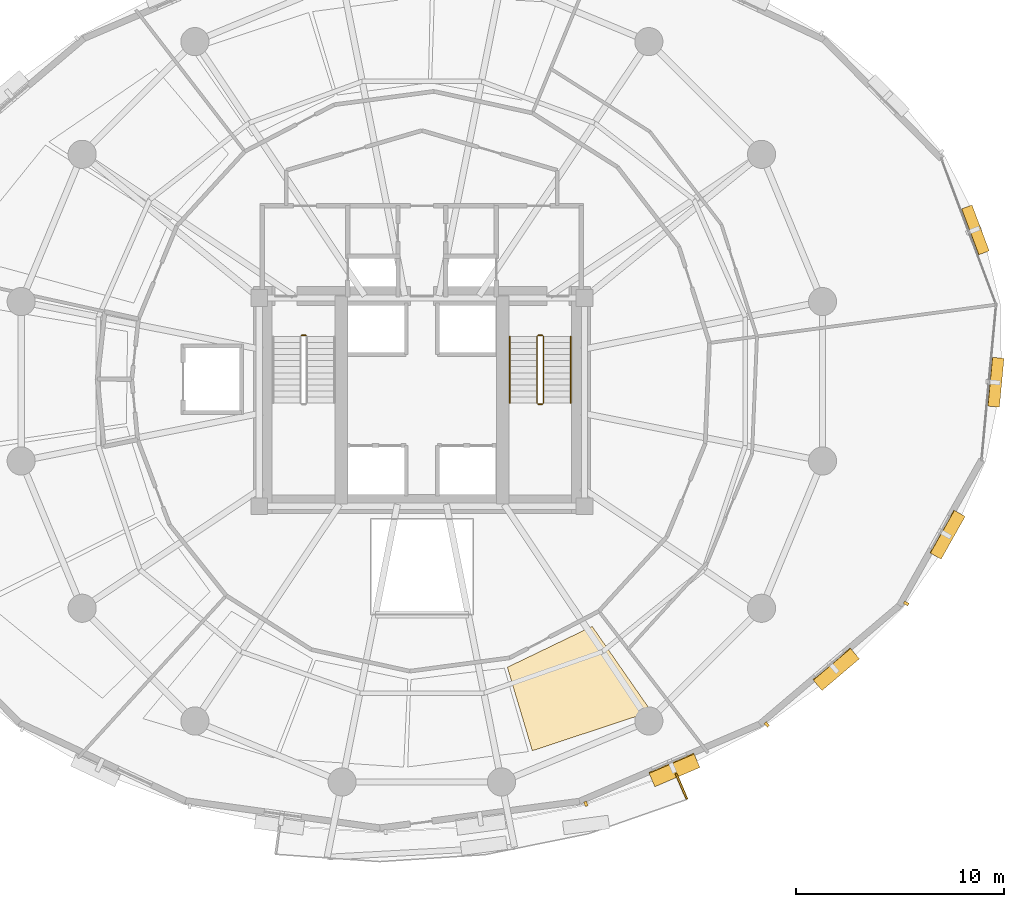
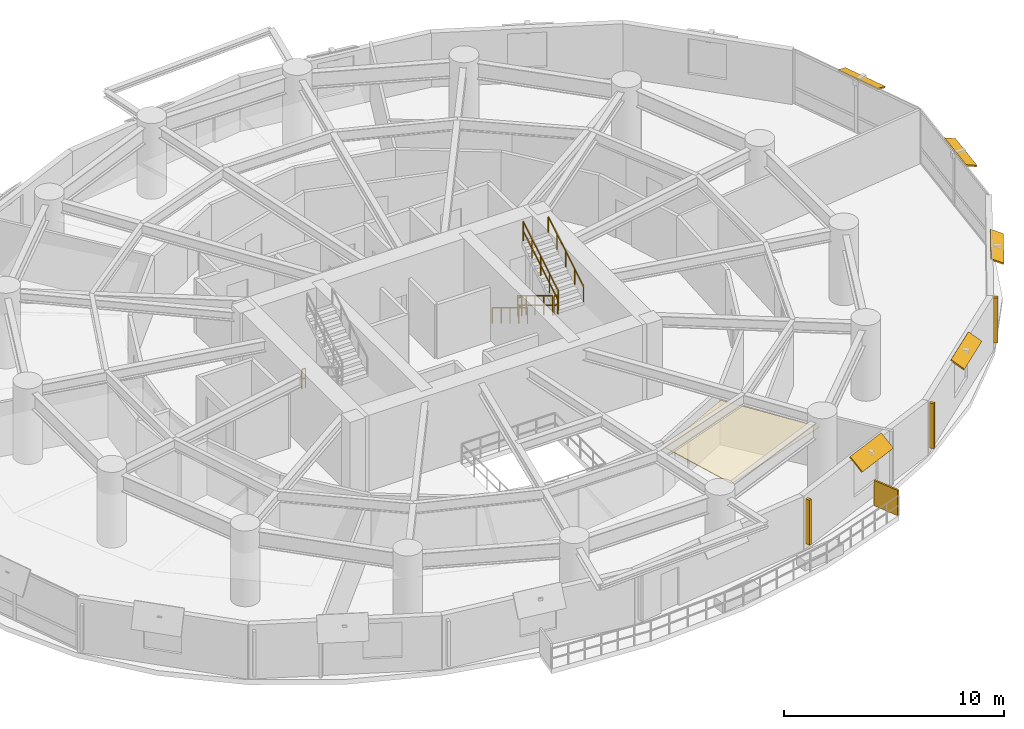
# One storey, part 16 of 17: 9 shading devices, 7 railings, 1 covering.
"""IFC4 building model written with IfcOpenShell, lengths in metres."""

import ifcopenshell
import ifcopenshell.guid

model = None  # the IFC model being written
_history = None  # IfcOwnerHistory: only IFC2X3 demands one
_inside = {}  # id of a spatial element -> (the spatial element, [elements in it])
_under = {}  # id of a project, library or spatial element -> (it, [spatial elements below it])
_declared = {}  # id of a project -> (the project, [libraries it declares])
_typed = {}  # id of a type object -> (the type object, [elements of that type])
_made_of = {}  # id of a material, layer set ... -> (it, [elements and type objects made of it])


def new_model(schema):
    """Start an empty IFC model of exactly this schema.

    Asked for "IFC4X3", IfcOpenShell would pick the latest addendum, in which some entities
    have other attributes; the version numbers below select the first issue.
    IFC2X3 requires an IfcOwnerHistory on every rooted entity: one is made here for all.
    """
    global model, _history
    if schema == "IFC4X3":
        model = ifcopenshell.file(schema_version=(4, 3, 0, 0))
    else:
        model = ifcopenshell.file(schema=schema)
    _inside.clear()
    _under.clear()
    _declared.clear()
    _typed.clear()
    _made_of.clear()
    _history = None
    if model.schema == "IFC2X3":
        org = make("IfcOrganization", Name="unknown")
        user = make(
            "IfcPersonAndOrganization",
            ThePerson=make("IfcPerson", FamilyName="unknown"),
            TheOrganization=org,
        )
        app = make(
            "IfcApplication",
            ApplicationDeveloper=org,
            Version="unknown",
            ApplicationFullName="unknown",
            ApplicationIdentifier="unknown",
        )
        _history = make(
            "IfcOwnerHistory",
            OwningUser=user,
            OwningApplication=app,
            ChangeAction="ADDED",
            CreationDate=0,
        )
    return model


def make(cls, **values):
    """One entity of the class cls with the attributes given. An attribute that is None is left unset."""
    return model.create_entity(
        cls, **{name: value for name, value in values.items() if value is not None}
    )


def rooted(cls, **values):
    """An entity with a GlobalId (a new one), such as an element, a storey or a relation."""
    return make(cls, GlobalId=ifcopenshell.guid.new(), OwnerHistory=_history, **values)


def si_unit(unit_type, name, prefix=None):
    """IfcSIUnit, for example si_unit("LENGTHUNIT", "METRE", prefix="MILLI")."""
    return make("IfcSIUnit", UnitType=unit_type, Prefix=prefix, Name=name)


def assignment(units):
    """IfcUnitAssignment: the units of a project."""
    return None if units is None else make("IfcUnitAssignment", Units=units)


def point(xyz):
    """IfcCartesianPoint."""
    return None if xyz is None else make("IfcCartesianPoint", Coordinates=xyz)


def direction(xyz):
    """IfcDirection."""
    return None if xyz is None else make("IfcDirection", DirectionRatios=xyz)


def frame(location, z_axis=None, x_axis=None):
    """IfcAxis2Placement3D, a coordinate frame: its origin and axes. An axis left out is left unset."""
    return make(
        "IfcAxis2Placement3D",
        Location=point(location),
        Axis=direction(z_axis),
        RefDirection=direction(x_axis),
    )


def frame_2d(location, x_axis=None):
    """IfcAxis2Placement2D, a coordinate frame in the plane: its origin and x axis."""
    return make(
        "IfcAxis2Placement2D", Location=point(location), RefDirection=direction(x_axis)
    )


def origin():
    """The frame at (0, 0, 0) with its axes left unset."""
    return frame((0.0, 0.0, 0.0))


def origin_2d():
    """The frame at (0, 0) in the plane with its x axis left unset."""
    return frame_2d((0.0, 0.0))


def place(relative_to, where):
    """IfcLocalPlacement: puts the frame where relative to a parent placement (None: the world)."""
    return make(
        "IfcLocalPlacement", PlacementRelTo=relative_to, RelativePlacement=where
    )


def context(
    kind, dimensions, precision=None, world=None, true_north=None, identifier=None
):
    """IfcGeometricRepresentationContext, for example the 3D "Model" context."""
    return make(
        "IfcGeometricRepresentationContext",
        ContextIdentifier=identifier,
        ContextType=kind,
        CoordinateSpaceDimension=dimensions,
        Precision=precision,
        WorldCoordinateSystem=world,
        TrueNorth=true_north,
    )


def subcontext(parent, identifier, kind, view, scale=None):
    """IfcGeometricRepresentationSubContext, for example "Body" below "Model"."""
    return make(
        "IfcGeometricRepresentationSubContext",
        ContextIdentifier=identifier,
        ContextType=kind,
        ParentContext=parent,
        TargetScale=scale,
        TargetView=view,
    )


def project(units=None, contexts=None):
    """IfcProject with its units and contexts."""
    return rooted(
        "IfcProject",
        Name="project",
        RepresentationContexts=contexts,
        UnitsInContext=assignment(units),
    )


def spatial(cls, under=None, at=None, **own):
    """A site, building, storey or space (cls), placed at a placement, below another one or the project."""
    s = rooted(cls, ObjectPlacement=at, **own)
    if under is not None:
        _under.setdefault(under.id(), (under, []))[1].append(s)
    return s


def polyline(points):
    """IfcPolyline through the points."""
    return make("IfcPolyline", Points=[point(p) for p in points])


def profile(cls, at=None, kind="AREA", **sizes):
    """A parametric profile (cls). Its sizes go by their IFC names, for example OverallWidth=200.0."""
    return make(cls, ProfileType=kind, Position=at, **sizes)


def rectangle(**sizes):
    """IfcRectangleProfileDef."""
    return profile("IfcRectangleProfileDef", **sizes)


def outline(outer, holes=None, kind="AREA"):
    """IfcArbitraryClosedProfileDef: a profile drawn as a closed curve; with holes, ...WithVoids."""
    if holes is None:
        return make("IfcArbitraryClosedProfileDef", ProfileType=kind, OuterCurve=outer)
    return make(
        "IfcArbitraryProfileDefWithVoids",
        ProfileType=kind,
        OuterCurve=outer,
        InnerCurves=holes,
    )


def extrude(swept, where, along, depth):
    """IfcExtrudedAreaSolid: the profile swept, set in the frame where, extruded along a direction by depth."""
    return make(
        "IfcExtrudedAreaSolid",
        SweptArea=swept,
        Position=where,
        ExtrudedDirection=direction(along),
        Depth=depth,
    )


def shape(context_of_items, identifier, shape_type, items):
    """IfcShapeRepresentation: the items that make up one representation, for example the "Body"."""
    return make(
        "IfcShapeRepresentation",
        ContextOfItems=context_of_items,
        RepresentationIdentifier=identifier,
        RepresentationType=shape_type,
        Items=items,
    )


def material(Name=None, Category=None):
    """IfcMaterial."""
    return make("IfcMaterial", Name=Name, Category=Category)


def layer(
    of_material, thickness, ventilated=None, Name=None, Category=None, Priority=None
):
    """IfcMaterialLayer: one layer of a wall or slab, of a material (None: an air gap)."""
    return make(
        "IfcMaterialLayer",
        Material=of_material,
        LayerThickness=thickness,
        IsVentilated=ventilated,
        Name=Name,
        Category=Category,
        Priority=Priority,
    )


def layer_set(layers, Name=None):
    """IfcMaterialLayerSet."""
    return make("IfcMaterialLayerSet", MaterialLayers=layers, LayerSetName=Name)


def made_of(thing, what):
    """Note that an element or type object is made of a material, layer set ...; save() writes the relation."""
    if what is not None:
        _made_of.setdefault(what.id(), (what, []))[1].append(thing)
    return thing


def type_object(cls, material=None, **own):
    """A type object (cls), such as IfcWallType, which elements share."""
    return made_of(rooted(cls, **own), material)


def element(
    cls,
    number,
    at=None,
    inside=None,
    cuts=None,
    type_object=None,
    material=None,
    context=None,
    identifier="Body",
    shape_type=None,
    held_by="IfcProductDefinitionShape",
    body=None,
    shapes=None,
    **own,
):
    """One element of the class cls, such as IfcWall. Its Tag is "e" and its number.

    at: its placement. inside: the storey or other place that contains it. cuts: it is an
    opening in that element (IfcRelVoidsElement). A single representation is given by context,
    identifier, shape_type and body (its items); several are given by shapes. held_by: the class
    of the entity that holds the representations. save() writes the other relations.
    """
    e = rooted(cls, Tag="e%d" % number, ObjectPlacement=at, **own)
    if body is not None:
        shapes = [shape(context, identifier, shape_type, body)]
    if shapes is not None:
        e.Representation = make(held_by, Representations=shapes)
    if inside is not None:
        _inside.setdefault(inside.id(), (inside, []))[1].append(e)
    if cuts is not None:
        rooted(
            "IfcRelVoidsElement", RelatingBuildingElement=cuts, RelatedOpeningElement=e
        )
    if type_object is not None:
        _typed.setdefault(type_object.id(), (type_object, []))[1].append(e)
    return made_of(e, material)


def aggregate(whole, parts):
    """IfcRelAggregates: a whole, such as a stair, and the parts it consists of."""
    return rooted("IfcRelAggregates", RelatingObject=whole, RelatedObjects=parts)


def save(model, path):
    """Write the relations noted so far, then the file.

    IfcRelAggregates (storeys below a building ...), IfcRelContainedInSpatialStructure (elements
    in a storey), IfcRelDefinesByType, IfcRelAssociatesMaterial and IfcRelDeclares: one each for
    every whole, place, type object, material and project.
    """
    for whole, parts in _under.values():
        aggregate(whole, parts)
    for where, things in _inside.values():
        rooted(
            "IfcRelContainedInSpatialStructure",
            RelatedElements=things,
            RelatingStructure=where,
        )
    for kind, things in _typed.values():
        rooted("IfcRelDefinesByType", RelatedObjects=things, RelatingType=kind)
    for what, things in _made_of.values():
        rooted("IfcRelAssociatesMaterial", RelatedObjects=things, RelatingMaterial=what)
    for by, libraries in _declared.values():
        rooted("IfcRelDeclares", RelatingContext=by, RelatedDefinitions=libraries)
    model.write(path)


model = new_model("IFC4")

# Units and contexts
model_context = context("Model", 3, precision=1e-05, world=origin(), true_north=direction((0.0, 1.0)))
body_context = subcontext(model_context, "Body", "Model", "MODEL_VIEW")
ifc_project = project(units=[si_unit("LENGTHUNIT", "METRE"), si_unit("AREAUNIT", "SQUARE_METRE"), si_unit("VOLUMEUNIT", "CUBIC_METRE"), si_unit("PLANEANGLEUNIT", "RADIAN"), si_unit("MASSUNIT", "GRAM", prefix="KILO"), si_unit("THERMODYNAMICTEMPERATUREUNIT", "KELVIN"), si_unit("POWERUNIT", "WATT")], contexts=[model_context])

# Site, building, storey
site_placement = place(None, origin())
site = spatial("IfcSite", under=ifc_project, at=site_placement, CompositionType="ELEMENT")
building_placement = place(site_placement, origin())
building = spatial("IfcBuilding", under=site, at=building_placement, Name="Ocrelia Relay Tower", CompositionType="ELEMENT")
storey_placement = place(building_placement, frame((0.0, 0.0, 63.60009765625)))
storey = spatial("IfcBuildingStorey", under=building, at=storey_placement, Name="L14", CompositionType="ELEMENT", Elevation=63.60009765625)

# Covering
ifc_material_1 = material(Name="Cleanroom metal-pan acoustic ceiling", Category="aluminium")
ifc_layer_1 = layer(ifc_material_1, 0.0400390625, Name="Cleanroom metal-pan acoustic ceiling")
ifc_layer_set_1 = layer_set([ifc_layer_1], Name="Cleanroom metal-pan acoustic ceiling")
covering_type = type_object("IfcCoveringType", Name="COV-CEIL-CLEAN", PredefinedType="CEILING", material=ifc_layer_set_1)
covering_placement = place(storey_placement, frame((0.0, 0.0, 2.919921875)))
element("IfcCovering", 1, at=covering_placement, inside=storey, type_object=covering_type, Name="L14 Colocation Data Hall A Suspended Ceiling 4", PredefinedType="CEILING", context=body_context, shape_type="SweptSolid", body=[
    extrude(outline(polyline([(38.10302734375, 12.280517578125), (39.30029296875, 8.276611328125), (45.0087890625, 10.16015625), (42.172607421875, 14.2412109375), (38.10302734375, 12.280517578125)])), origin(), (0.0, 0.0, 1.0), 0.0400390625),
])

# Railings
ifc_material_2 = material(Name="Steel S355 balustrade", Category="steel")
railing_type_1 = type_object("IfcRailingType", Name="RL-STAIR-GUARD", PredefinedType="GUARDRAIL", material=ifc_material_2)
railing_1_placement = place(storey_placement, frame((28.22998046875, 28.199951171875, 0.0)))
element("IfcRailing", 2, at=railing_1_placement, inside=storey, type_object=railing_type_1, Name="L14 ST1 stair guard 4", PredefinedType="GUARDRAIL", context=body_context, shape_type="SweptSolid", body=[
    extrude(rectangle(XDim=0.048095703125, YDim=0.048095703125, at=origin_2d()), frame((0.0, 0.0, 1.076171875), z_axis=(1.0, 0.0, 0.0), x_axis=(0.0, 1.0, 0.0)), (0.0, 0.0, 1.0), 0.199951171875),
    extrude(rectangle(XDim=0.048095703125, YDim=0.048095703125, at=origin_2d()), frame((0.0, 0.0, 0.550048828125), z_axis=(1.0, 0.0, 0.0), x_axis=(0.0, 1.0, 0.0)), (0.0, 0.0, 1.0), 0.199951171875),
    extrude(rectangle(XDim=0.0419921875, YDim=0.0419921875, at=origin_2d()), origin(), (0.0, 0.0, 1.0), 1.052001953125),
    extrude(rectangle(XDim=0.0419921875, YDim=0.0419921875, at=origin_2d()), frame((0.199951171875, 0.0, 0.0)), (0.0, 0.0, 1.0), 1.052001953125),
])
railing_2_placement = place(storey_placement, frame((39.530029296875, 28.14990234375, 0.1748046875)))
element("IfcRailing", 3, at=railing_2_placement, inside=storey, type_object=railing_type_1, Name="L14 ST2 stair guard 1", PredefinedType="GUARDRAIL", context=body_context, shape_type="SweptSolid", body=[
    extrude(rectangle(XDim=0.048095703125, YDim=0.048095703125, at=origin_2d()), frame((0.0, 0.0, 1.076171875), z_axis=(0.0, -0.856177665481, 0.516681531633), x_axis=(1.0, 0.0, 0.0)), (0.0, 0.0, 1.0), 3.725830078125),
    extrude(rectangle(XDim=0.048095703125, YDim=0.048095703125, at=origin_2d()), frame((0.0, 0.0, 0.550048828125), z_axis=(0.0, -0.856177665481, 0.516681531633), x_axis=(1.0, 0.0, 0.0)), (0.0, 0.0, 1.0), 3.725830078125),
    extrude(rectangle(XDim=0.0419921875, YDim=0.0419921875, at=origin_2d()), origin(), (0.0, 0.0, 1.0), 1.052001953125),
    extrude(rectangle(XDim=0.0419921875, YDim=0.0419921875, at=origin_2d()), frame((0.0, -0.79736328125, 0.481201171875)), (0.0, 0.0, 1.0), 1.052001953125),
    extrude(rectangle(XDim=0.0419921875, YDim=0.0419921875, at=origin_2d()), frame((0.0, -1.594970703125, 0.96240234375)), (0.0, 0.0, 1.0), 1.052001953125),
    extrude(rectangle(XDim=0.0419921875, YDim=0.0419921875, at=origin_2d()), frame((0.0, -2.392578125, 1.44384765625)), (0.0, 0.0, 1.0), 1.052001953125),
    extrude(rectangle(XDim=0.0419921875, YDim=0.0419921875, at=origin_2d()), frame((0.0, -3.18994140625, 1.925048828125)), (0.0, 0.0, 1.0), 1.052001953125),
])
railing_3_placement = place(storey_placement, frame((39.580078125, 24.909912109375, 2.099853515625)))
element("IfcRailing", 4, at=railing_3_placement, inside=storey, type_object=railing_type_1, Name="L14 ST2 stair guard 2", PredefinedType="GUARDRAIL", context=body_context, shape_type="SweptSolid", body=[
    extrude(rectangle(XDim=0.048095703125, YDim=0.048095703125, at=origin_2d()), frame((0.0, 0.0, 1.076171875), z_axis=(1.0, 0.0, 0.0), x_axis=(0.0, 1.0, 0.0)), (0.0, 0.0, 1.0), 0.199951171875),
    extrude(rectangle(XDim=0.048095703125, YDim=0.048095703125, at=origin_2d()), frame((0.0, 0.0, 0.550048828125), z_axis=(1.0, 0.0, 0.0), x_axis=(0.0, 1.0, 0.0)), (0.0, 0.0, 1.0), 0.199951171875),
    extrude(rectangle(XDim=0.0419921875, YDim=0.0419921875, at=origin_2d()), origin(), (0.0, 0.0, 1.0), 1.052001953125),
    extrude(rectangle(XDim=0.0419921875, YDim=0.0419921875, at=origin_2d()), frame((0.199951171875, 0.0, 0.0)), (0.0, 0.0, 1.0), 1.052001953125),
])
railing_4_placement = place(storey_placement, frame((39.830078125, 24.9599609375, 2.27490234375)))
element("IfcRailing", 5, at=railing_4_placement, inside=storey, type_object=railing_type_1, Name="L14 ST2 stair guard 3", PredefinedType="GUARDRAIL", context=body_context, shape_type="SweptSolid", body=[
    extrude(rectangle(XDim=0.048095703125, YDim=0.048095703125, at=origin_2d()), frame((0.0, 0.0, 1.076171875), z_axis=(0.0, 0.856177665481, 0.516681531633), x_axis=(-1.0, 0.0, 0.0)), (0.0, 0.0, 1.0), 3.725830078125),
    extrude(rectangle(XDim=0.048095703125, YDim=0.048095703125, at=origin_2d()), frame((0.0, 0.0, 0.550048828125), z_axis=(0.0, 0.856177665481, 0.516681531633), x_axis=(-1.0, 0.0, 0.0)), (0.0, 0.0, 1.0), 3.725830078125),
    extrude(rectangle(XDim=0.0419921875, YDim=0.0419921875, at=origin_2d()), origin(), (0.0, 0.0, 1.0), 1.052001953125),
    extrude(rectangle(XDim=0.0419921875, YDim=0.0419921875, at=origin_2d()), frame((0.0, 0.79736328125, 0.481201171875)), (0.0, 0.0, 1.0), 1.052001953125),
    extrude(rectangle(XDim=0.0419921875, YDim=0.0419921875, at=origin_2d()), frame((0.0, 1.594970703125, 0.96240234375)), (0.0, 0.0, 1.0), 1.052001953125),
    extrude(rectangle(XDim=0.0419921875, YDim=0.0419921875, at=origin_2d()), frame((0.0, 2.392578125, 1.44384765625)), (0.0, 0.0, 1.0), 1.052001953125),
    extrude(rectangle(XDim=0.0419921875, YDim=0.0419921875, at=origin_2d()), frame((0.0, 3.18994140625, 1.925048828125)), (0.0, 0.0, 1.0), 1.052001953125),
])
railing_5_placement = place(storey_placement, frame((39.580078125, 28.199951171875, 0.0)))
element("IfcRailing", 6, at=railing_5_placement, inside=storey, type_object=railing_type_1, Name="L14 ST2 stair guard 4", PredefinedType="GUARDRAIL", context=body_context, shape_type="SweptSolid", body=[
    extrude(rectangle(XDim=0.048095703125, YDim=0.048095703125, at=origin_2d()), frame((0.0, 0.0, 1.076171875), z_axis=(1.0, 0.0, 0.0), x_axis=(0.0, 1.0, 0.0)), (0.0, 0.0, 1.0), 0.199951171875),
    extrude(rectangle(XDim=0.048095703125, YDim=0.048095703125, at=origin_2d()), frame((0.0, 0.0, 0.550048828125), z_axis=(1.0, 0.0, 0.0), x_axis=(0.0, 1.0, 0.0)), (0.0, 0.0, 1.0), 0.199951171875),
    extrude(rectangle(XDim=0.0419921875, YDim=0.0419921875, at=origin_2d()), origin(), (0.0, 0.0, 1.0), 1.052001953125),
    extrude(rectangle(XDim=0.0419921875, YDim=0.0419921875, at=origin_2d()), frame((0.199951171875, 0.0, 0.0)), (0.0, 0.0, 1.0), 1.052001953125),
])
ifc_material_3 = material(Name="Steel S355 tubular handrail", Category="steel")
railing_type_2 = type_object("IfcRailingType", Name="RL-STAIR-HAND", PredefinedType="HANDRAIL", material=ifc_material_3)
railing_6_placement = place(storey_placement, frame((38.2099609375, 28.14990234375, 0.1748046875)))
element("IfcRailing", 7, at=railing_6_placement, inside=storey, type_object=railing_type_2, Name="L14 ST2 stair handrail 1", PredefinedType="HANDRAIL", context=body_context, shape_type="SweptSolid", body=[
    extrude(rectangle(XDim=0.048095703125, YDim=0.048095703125, at=origin_2d()), frame((0.0, 0.0, 0.8759765625), z_axis=(0.0, -0.856177665481, 0.516681531633), x_axis=(1.0, 0.0, 0.0)), (0.0, 0.0, 1.0), 3.725830078125),
    extrude(rectangle(XDim=0.0419921875, YDim=0.0419921875, at=origin_2d()), origin(), (0.0, 0.0, 1.0), 0.851806640625),
    extrude(rectangle(XDim=0.0419921875, YDim=0.0419921875, at=origin_2d()), frame((0.0, -0.79736328125, 0.481201171875)), (0.0, 0.0, 1.0), 0.851806640625),
    extrude(rectangle(XDim=0.0419921875, YDim=0.0419921875, at=origin_2d()), frame((0.0, -1.594970703125, 0.96240234375)), (0.0, 0.0, 1.0), 0.851806640625),
    extrude(rectangle(XDim=0.0419921875, YDim=0.0419921875, at=origin_2d()), frame((0.0, -2.392578125, 1.44384765625)), (0.0, 0.0, 1.0), 0.851806640625),
    extrude(rectangle(XDim=0.0419921875, YDim=0.0419921875, at=origin_2d()), frame((0.0, -3.18994140625, 1.925048828125)), (0.0, 0.0, 1.0), 0.851806640625),
])
railing_7_placement = place(storey_placement, frame((41.14990234375, 24.9599609375, 2.27490234375)))
element("IfcRailing", 8, at=railing_7_placement, inside=storey, type_object=railing_type_2, Name="L14 ST2 stair handrail 2", PredefinedType="HANDRAIL", context=body_context, shape_type="SweptSolid", body=[
    extrude(rectangle(XDim=0.048095703125, YDim=0.048095703125, at=origin_2d()), frame((0.0, 0.0, 0.8759765625), z_axis=(0.0, 0.856177665481, 0.516681531633), x_axis=(-1.0, 0.0, 0.0)), (0.0, 0.0, 1.0), 3.725830078125),
    extrude(rectangle(XDim=0.0419921875, YDim=0.0419921875, at=origin_2d()), origin(), (0.0, 0.0, 1.0), 0.851806640625),
    extrude(rectangle(XDim=0.0419921875, YDim=0.0419921875, at=origin_2d()), frame((0.0, 0.79736328125, 0.481201171875)), (0.0, 0.0, 1.0), 0.851806640625),
    extrude(rectangle(XDim=0.0419921875, YDim=0.0419921875, at=origin_2d()), frame((0.0, 1.594970703125, 0.96240234375)), (0.0, 0.0, 1.0), 0.851806640625),
    extrude(rectangle(XDim=0.0419921875, YDim=0.0419921875, at=origin_2d()), frame((0.0, 2.392578125, 1.44384765625)), (0.0, 0.0, 1.0), 0.851806640625),
    extrude(rectangle(XDim=0.0419921875, YDim=0.0419921875, at=origin_2d()), frame((0.0, 3.18994140625, 1.925048828125)), (0.0, 0.0, 1.0), 0.851806640625),
])

# Shading devices
ifc_material_4 = material(Name="Perforated oxide terracotta solar screen", Category="masonry")
ifc_layer_2 = layer(ifc_material_4, 0.090087890625, Name="Perforated oxide terracotta solar screen")
ifc_layer_set_2 = layer_set([ifc_layer_2], Name="Perforated oxide terracotta solar screen")
shading_device_type_1 = type_object("IfcShadingDeviceType", Name="SH-BALC-SCREEN", PredefinedType="USERDEFINED", material=ifc_layer_set_2)
shading_device_1_placement = place(storey_placement, frame((46.451416015625, 6.572998046875, 0.0), z_axis=(0.0, 0.0, 1.0), x_axis=(0.394915096585, -0.918717620648, 0.0)))
element("IfcShadingDevice", 9, at=shading_device_1_placement, inside=storey, type_object=shading_device_type_1, Name="L14 Balcony Perforated Terracotta Screen B2-2", ObjectType="SCREEN", PredefinedType="USERDEFINED", context=body_context, shape_type="SweptSolid", body=[
    extrude(rectangle(XDim=1.340087890625, YDim=0.090087890625, at=origin_2d()), origin(), (0.0, 0.0, 1.0), 1.39990234375),
])
ifc_material_5 = material(Name="Extruded oxide terracotta vertical baguette", Category="masonry")
shading_device_type_2 = type_object("IfcShadingDeviceType", Name="SH-TERR-BAGUETTE", PredefinedType="USERDEFINED", material=ifc_material_5)
for number, where, z_axis, x_axis, name in (
    (10, (41.87060546875, 5.7294921875, 0.25), (0.0, 0.0, 1.0), (0.919254826967, 0.393663007022, 0.0), "L14 Oxide Terracotta Vertical Baguette 15"),
    (11, (50.54931640625, 9.5341796875, 0.25), (0.0, 0.0, 1.0), (0.762251834045, 0.647280574014, 0.0), "L14 Oxide Terracotta Vertical Baguette 16"),
    (12, (57.23779296875, 15.341552734375, 0.25), (0.0, 0.0, 1.0), (0.490896778038, 0.871217741619, 0.0), "L14 Oxide Terracotta Vertical Baguette 17"),
):
    element("IfcShadingDevice", number, at=place(storey_placement, frame(where, z_axis=z_axis, x_axis=x_axis)), inside=storey, type_object=shading_device_type_2, Name=name, ObjectType="BAGUETTE", PredefinedType="USERDEFINED", context=body_context, shape_type="SweptSolid", body=[
        extrude(rectangle(XDim=0.139892578125, YDim=0.239990234375, at=origin_2d()), origin(), (0.0, 0.0, 1.0), 2.5),
    ])
ifc_material_6 = material(Name="Extruded oxide terracotta fin", Category="masonry")
ifc_layer_3 = layer(ifc_material_6, 0.080078125, Name="Extruded oxide terracotta fin")
ifc_layer_set_3 = layer_set([ifc_layer_3], Name="Extruded oxide terracotta fin")
shading_device_type_3 = type_object("IfcShadingDeviceType", Name="SH-VISOR-FIN-MED", PredefinedType="USERDEFINED", material=ifc_layer_set_3)
shading_device_2_placement = place(storey_placement, frame((46.10205078125, 7.379150390625, 2.80859375), z_axis=(0.245920359632, -0.57425634009, 0.780866718836), x_axis=(0.919254826967, 0.393663007022, 0.0)))
element("IfcShadingDevice", 13, at=shading_device_2_placement, inside=storey, type_object=shading_device_type_3, Name="L14 Canted Terracotta Sun-Visor Fin 15", ObjectType="FIN", PredefinedType="USERDEFINED", context=body_context, shape_type="SweptSolid", body=[
    extrude(rectangle(XDim=2.35009765625, YDim=0.89404296875, at=origin_2d()), origin(), (0.0, 0.0, 1.0), 0.080078125),
])
ifc_layer_4 = layer(ifc_material_6, 0.080078125, Name="Extruded oxide terracotta fin")
ifc_layer_set_4 = layer_set([ifc_layer_4], Name="Extruded oxide terracotta fin")
shading_device_type_4 = type_object("IfcShadingDeviceType", Name="SH-VISOR-FIN-SHAL", PredefinedType="USERDEFINED", material=ifc_layer_set_4)
shading_device_3_placement = place(storey_placement, frame((60.535888671875, 33.255126953125, 2.8017578125), z_axis=(0.294613063006, 0.110503575259, 0.949206038203), x_axis=(-0.351189410055, 0.936304436743, 0.0)))
element("IfcShadingDevice", 14, at=shading_device_3_placement, inside=storey, type_object=shading_device_type_4, Name="L14 Canted Terracotta Sun-Visor Fin 01", ObjectType="FIN", PredefinedType="USERDEFINED", context=body_context, shape_type="SweptSolid", body=[
    extrude(rectangle(XDim=2.35009765625, YDim=0.555908203125, at=origin_2d()), origin(), (0.0, 0.0, 1.0), 0.080078125),
])
shading_device_4_placement = place(storey_placement, frame((53.859375, 12.203857421875, 2.80517578125), z_axis=(0.322955190669, -0.380319132514, 0.866635622545), x_axis=(0.762251834045, 0.647280574014, 0.0)))
element("IfcShadingDevice", 15, at=shading_device_4_placement, inside=storey, type_object=shading_device_type_4, Name="L14 Canted Terracotta Sun-Visor Fin 16", ObjectType="FIN", PredefinedType="USERDEFINED", context=body_context, shape_type="SweptSolid", body=[
    extrude(rectangle(XDim=2.35009765625, YDim=0.7490234375, at=origin_2d()), origin(), (0.0, 0.0, 1.0), 0.080078125),
])
shading_device_5_placement = place(storey_placement, frame((59.202392578125, 18.652099609375, 2.80322265625), z_axis=(0.353800452371, -0.19935257725, 0.913829190738), x_axis=(0.490896778038, 0.871217741619, 0.0)))
element("IfcShadingDevice", 16, at=shading_device_5_placement, inside=storey, type_object=shading_device_type_4, Name="L14 Canted Terracotta Sun-Visor Fin 17", ObjectType="FIN", PredefinedType="USERDEFINED", context=body_context, shape_type="SweptSolid", body=[
    extrude(rectangle(XDim=2.35009765625, YDim=0.64892578125, at=origin_2d()), origin(), (0.0, 0.0, 1.0), 0.080078125),
])
shading_device_6_placement = place(storey_placement, frame((61.517333984375, 25.9560546875, 2.80224609375), z_axis=(0.344929671771, -0.032362501482, 0.938070461122), x_axis=(0.093413227811, 0.995627424728, 0.0)))
element("IfcShadingDevice", 17, at=shading_device_6_placement, inside=storey, type_object=shading_device_type_4, Name="L14 Canted Terracotta Sun-Visor Fin 18", ObjectType="FIN", PredefinedType="USERDEFINED", context=body_context, shape_type="SweptSolid", body=[
    extrude(rectangle(XDim=2.35009765625, YDim=0.587890625, at=origin_2d()), origin(), (0.0, 0.0, 1.0), 0.080078125),
])

save(model, "model.ifc")
